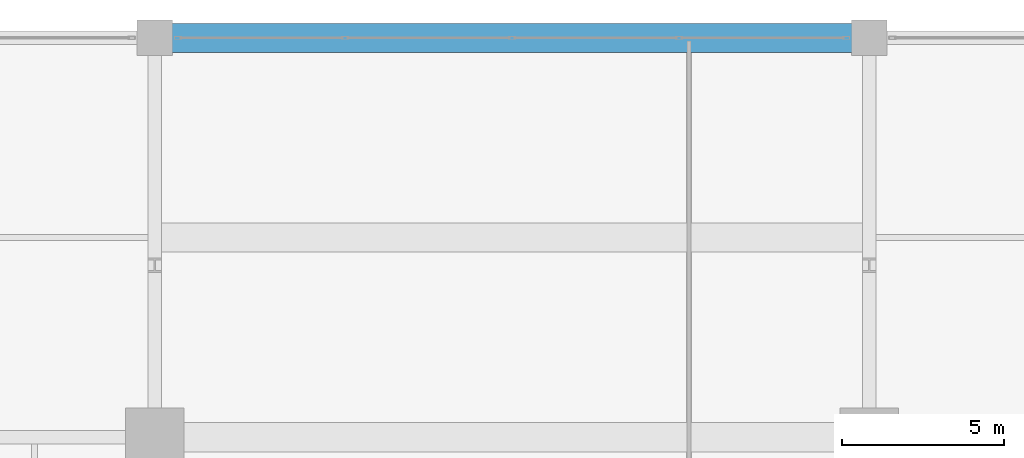
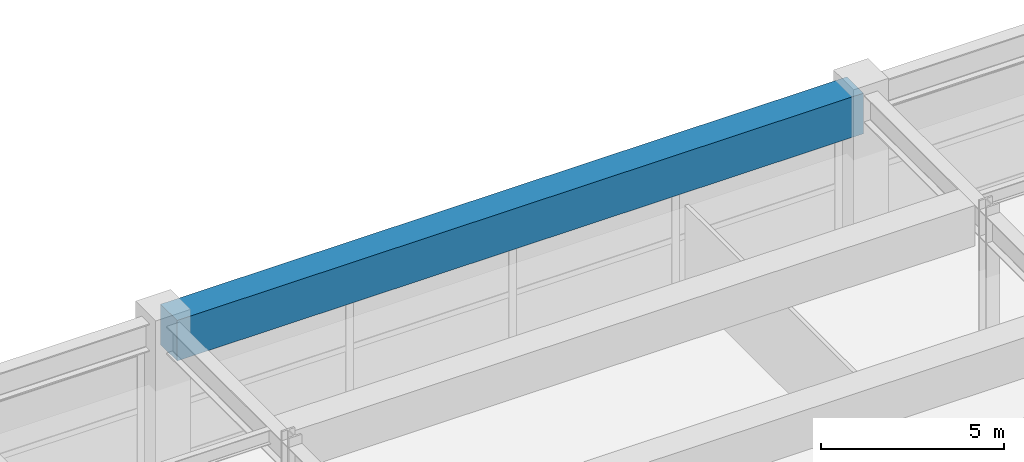
# One storey, part 21 of 43: 1 beam.
"""IFC4 building model written with IfcOpenShell, lengths in metres."""

from ifc_helpers import new_model, si_unit, direction, frame, origin, origin_2d, place, context, subcontext, project, spatial, rectangle, extrude, material, material_profile, profile_set, type_object, element, save


model = new_model("IFC4")

# Units and contexts
model_context = context("Model", 3, precision=1e-05, world=origin(), true_north=direction((0.0, 1.0)))
body_context = subcontext(model_context, "Body", "Model", "MODEL_VIEW")
ifc_project = project(units=[si_unit("LENGTHUNIT", "METRE"), si_unit("AREAUNIT", "SQUARE_METRE"), si_unit("VOLUMEUNIT", "CUBIC_METRE"), si_unit("PLANEANGLEUNIT", "RADIAN"), si_unit("MASSUNIT", "GRAM", prefix="KILO")], contexts=[model_context])

# Site, building, storey
site_placement = place(None, origin())
site = spatial("IfcSite", under=ifc_project, at=site_placement, CompositionType="ELEMENT")
building_placement = place(site_placement, origin())
building = spatial("IfcBuilding", under=site, at=building_placement, Name="Kovane Verandah Tower", CompositionType="ELEMENT")
storey_placement = place(building_placement, frame((0.0, 0.0, 11.199951171875)))
storey = spatial("IfcBuildingStorey", under=building, at=storey_placement, Name="L02", CompositionType="ELEMENT", Elevation=11.199951171875)

# Beam
ifc_material = material(Name="Concrete C80/95", Category="concrete")
ifc_material_profile = material_profile(ifc_material, rectangle(XDim=0.89990234375, YDim=1.35009765625, at=origin_2d()), Name="RCB900x1350")
ifc_profile_set = profile_set([ifc_material_profile], Name="Concrete C80/95")
beam_type = type_object("IfcBeamType", Name="BM-TR-900x1350", PredefinedType="BEAM", material=ifc_profile_set)
beam_placement = place(storey_placement, frame((29.179931640625, 56.5, 4.22509765625), z_axis=(1.0, 0.0, 0.0), x_axis=(0.0, 1.0, 0.0)))
element("IfcBeam", 1, at=beam_placement, inside=storey, type_object=beam_type, Name="L02 Podium Grid Girder X20", PredefinedType="BEAM", context=body_context, shape_type="SweptSolid", body=[
    extrude(rectangle(XDim=0.89990234375, YDim=1.35009765625, at=origin_2d()), origin(), (0.0, 0.0, 1.0), 21.64013671875),
])

save(model, "model.ifc")
